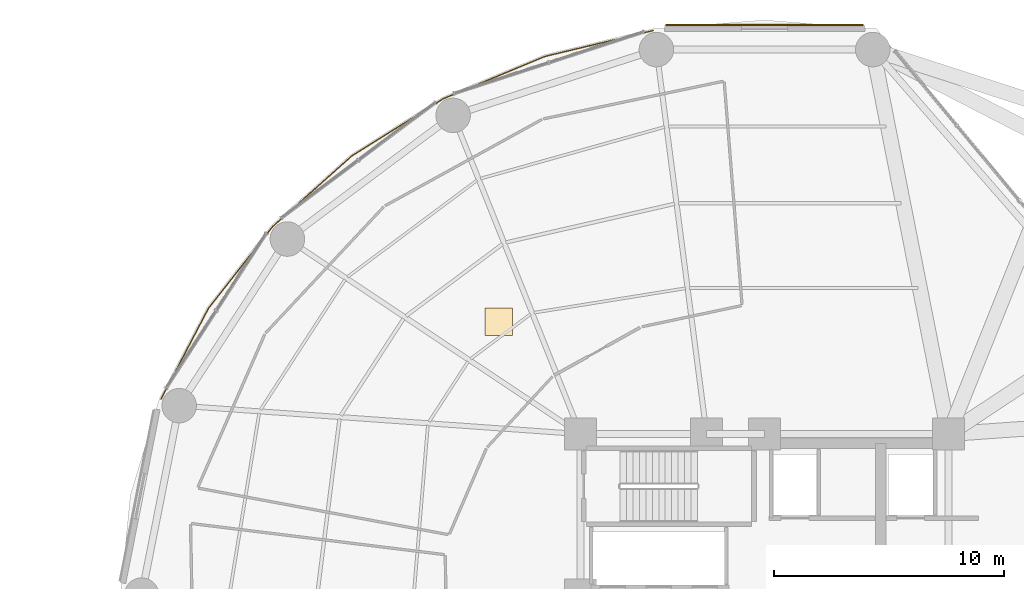
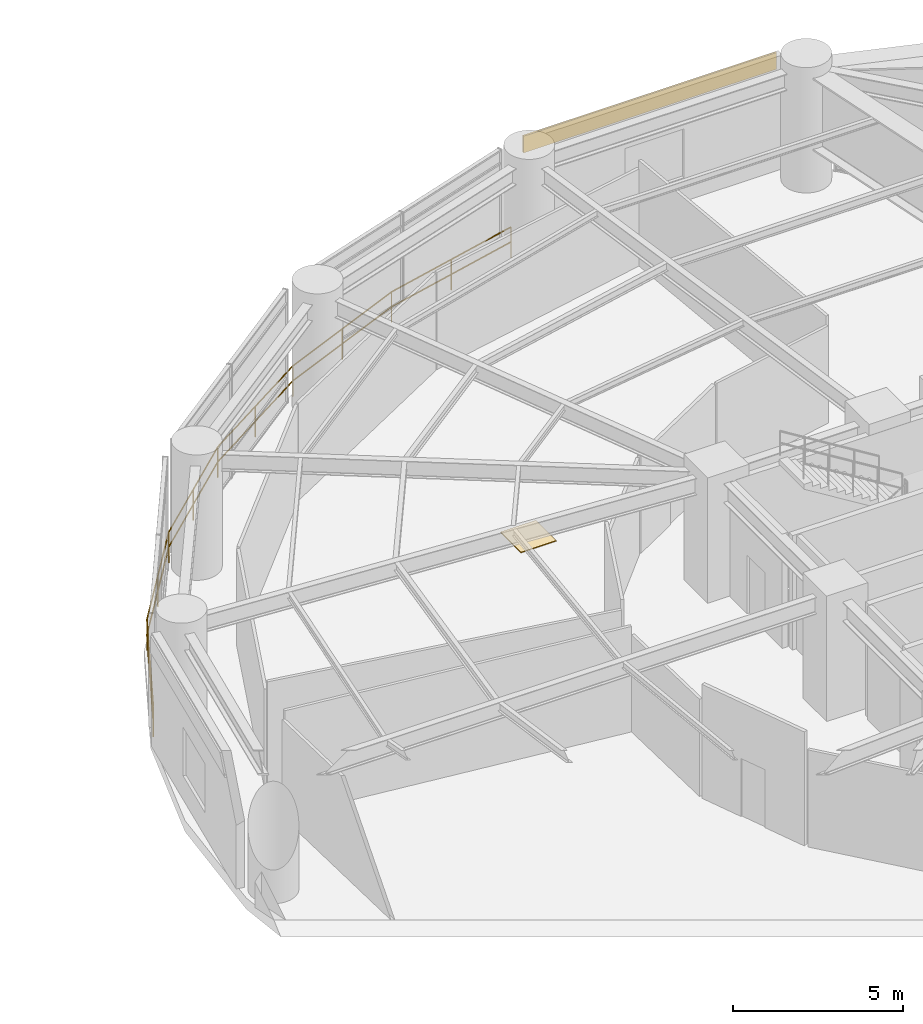
# One storey, part 52 of 52: 2 coverings, 1 railing.
"""IFC4 building model written with IfcOpenShell, lengths in metres."""

from ifc_helpers import new_model, si_unit, direction, frame, origin, origin_2d, place, context, subcontext, project, spatial, polyline, rectangle, outline, extrude, source, transform, mapped, material, layer, layer_set, type_object, element, save


model = new_model("IFC4")

# Units and contexts
model_context = context("Model", 3, precision=1e-05, world=origin(), true_north=direction((0.0, 1.0)))
body_context = subcontext(model_context, "Body", "Model", "MODEL_VIEW")
ifc_project = project(units=[si_unit("LENGTHUNIT", "METRE"), si_unit("AREAUNIT", "SQUARE_METRE"), si_unit("VOLUMEUNIT", "CUBIC_METRE"), si_unit("PLANEANGLEUNIT", "RADIAN"), si_unit("MASSUNIT", "GRAM", prefix="KILO")], contexts=[model_context])

# Site, building, storey
site_placement = place(None, origin())
site = spatial("IfcSite", under=ifc_project, at=site_placement, CompositionType="ELEMENT")
building_placement = place(site_placement, origin())
building = spatial("IfcBuilding", under=site, at=building_placement, Name="Kelanora Arch Commons", CompositionType="ELEMENT")
storey_placement = place(building_placement, frame((0.0, 0.0, 13.5)))
storey = spatial("IfcBuildingStorey", under=building, at=storey_placement, Name="L03", CompositionType="ELEMENT", Elevation=13.5)

# Railing
ifc_material_1 = material(Name="Laminated glass and stainless steel balustrade", Category="steel")
railing_type = type_object("IfcRailingType", Name="RAIL-BAL-112", PredefinedType="BALUSTRADE", material=ifc_material_1)
railing_placement = place(storey_placement, frame((69.1533203125, 82.541748046875, 0.0)))
element("IfcRailing", 1, at=railing_placement, inside=storey, type_object=railing_type, Name="Concave Courtyard Overlook Balustrade L03-NW", PredefinedType="BALUSTRADE", context=body_context, shape_type="SweptSolid", body=[
    extrude(outline(polyline([(0.02392578125, 0.0), (0.011962890625, 0.020751953125), (-0.011962890625, 0.020751953125), (-0.02392578125, 0.0), (-0.011962890625, -0.020751953125), (0.011962890625, -0.020751953125), (0.02392578125, 0.0)])), frame((0.0, 0.0, 1.09619140625), z_axis=(-0.972593299497, -0.232512953989, 0.0), x_axis=(0.232512953989, -0.972593299497, 0.0)), (0.0, 0.0, 1.0), 4.83203125),
    extrude(outline(polyline([(0.02392578125, 0.0), (0.011962890625, 0.020751953125), (-0.011962890625, 0.020751953125), (-0.02392578125, 0.0), (-0.011962890625, -0.020751953125), (0.011962890625, -0.020751953125), (0.02392578125, 0.0)])), frame((0.0, 0.0, 0.56005859375), z_axis=(-0.972593299497, -0.232512953989, 0.0), x_axis=(0.232512953989, -0.972593299497, 0.0)), (0.0, 0.0, 1.0), 4.83203125),
    extrude(outline(polyline([(0.02392578125, 0.0), (0.011962890625, 0.020751953125), (-0.011962890625, 0.020751953125), (-0.02392578125, 0.0), (-0.011962890625, -0.020751953125), (0.011962890625, -0.020751953125), (0.02392578125, 0.0)])), frame((-4.69970703125, -1.12353515625, 1.09619140625), z_axis=(-0.923288490051, -0.384107230001, 0.0), x_axis=(0.384107230001, -0.923288490051, 0.0)), (0.0, 0.0, 1.0), 4.776611328125),
    extrude(outline(polyline([(0.02392578125, 0.0), (0.011962890625, 0.020751953125), (-0.011962890625, 0.020751953125), (-0.02392578125, 0.0), (-0.011962890625, -0.020751953125), (0.011962890625, -0.020751953125), (0.02392578125, 0.0)])), frame((-4.69970703125, -1.12353515625, 0.56005859375), z_axis=(-0.923288490051, -0.384107230001, 0.0), x_axis=(0.384107230001, -0.923288490051, 0.0)), (0.0, 0.0, 1.0), 4.776611328125),
    extrude(outline(polyline([(0.02392578125, 0.0), (0.011962890625, 0.020751953125), (-0.011962890625, 0.020751953125), (-0.02392578125, 0.0), (-0.011962890625, -0.020751953125), (0.011962890625, -0.020751953125), (0.02392578125, 0.0)])), frame((-9.10986328125, -2.958251953125, 1.09619140625), z_axis=(-0.848097490712, -0.529840208221, 0.0), x_axis=(0.529840208221, -0.848097490712, 0.0)), (0.0, 0.0, 1.0), 4.700927734375),
    extrude(outline(polyline([(0.02392578125, 0.0), (0.011962890625, 0.020751953125), (-0.011962890625, 0.020751953125), (-0.02392578125, 0.0), (-0.011962890625, -0.020751953125), (0.011962890625, -0.020751953125), (0.02392578125, 0.0)])), frame((-9.10986328125, -2.958251953125, 0.56005859375), z_axis=(-0.848097490712, -0.529840208221, 0.0), x_axis=(0.529840208221, -0.848097490712, 0.0)), (0.0, 0.0, 1.0), 4.700927734375),
    extrude(outline(polyline([(0.02392578125, 0.0), (0.011962890625, 0.020751953125), (-0.011962890625, 0.020751953125), (-0.02392578125, 0.0), (-0.011962890625, -0.020751953125), (0.011962890625, -0.020751953125), (0.02392578125, 0.0)])), frame((-13.0966796875, -5.448974609375, 1.09619140625), z_axis=(-0.746161121454, -0.665765409758, 0.0), x_axis=(0.665765409758, -0.746161121454, 0.0)), (0.0, 0.0, 1.0), 4.61279296875),
    extrude(outline(polyline([(0.02392578125, 0.0), (0.011962890625, 0.020751953125), (-0.011962890625, 0.020751953125), (-0.02392578125, 0.0), (-0.011962890625, -0.020751953125), (0.011962890625, -0.020751953125), (0.02392578125, 0.0)])), frame((-13.0966796875, -5.448974609375, 0.56005859375), z_axis=(-0.746161121454, -0.665765409758, 0.0), x_axis=(0.665765409758, -0.746161121454, 0.0)), (0.0, 0.0, 1.0), 4.61279296875),
    extrude(outline(polyline([(0.02392578125, 0.0), (0.011962890625, 0.020751953125), (-0.011962890625, 0.020751953125), (-0.02392578125, 0.0), (-0.011962890625, -0.020751953125), (0.011962890625, -0.020751953125), (0.02392578125, 0.0)])), frame((-16.53857421875, -8.52001953125, 1.09619140625), z_axis=(-0.617327980499, -0.786705894533, 0.0), x_axis=(0.786705894533, -0.617327980499, 0.0)), (0.0, 0.0, 1.0), 4.523193359375),
    extrude(outline(polyline([(0.02392578125, 0.0), (0.011962890625, 0.020751953125), (-0.011962890625, 0.020751953125), (-0.02392578125, 0.0), (-0.011962890625, -0.020751953125), (0.011962890625, -0.020751953125), (0.02392578125, 0.0)])), frame((-16.53857421875, -8.52001953125, 0.56005859375), z_axis=(-0.617327980499, -0.786705894533, 0.0), x_axis=(0.786705894533, -0.617327980499, 0.0)), (0.0, 0.0, 1.0), 4.523193359375),
    extrude(outline(polyline([(0.02392578125, 0.0), (0.011962890625, 0.020751953125), (-0.011962890625, 0.020751953125), (-0.02392578125, 0.0), (-0.011962890625, -0.020751953125), (0.011962890625, -0.020751953125), (0.02392578125, 0.0)])), frame((-19.330810546875, -12.078369140625, 1.09619140625), z_axis=(-0.463187508091, -0.88626030733, 0.0), x_axis=(0.88626030733, -0.463187508091, 0.0)), (0.0, 0.0, 1.0), 4.44287109375),
    extrude(outline(polyline([(0.02392578125, 0.0), (0.011962890625, 0.020751953125), (-0.011962890625, 0.020751953125), (-0.02392578125, 0.0), (-0.011962890625, -0.020751953125), (0.011962890625, -0.020751953125), (0.02392578125, 0.0)])), frame((-19.330810546875, -12.078369140625, 0.56005859375), z_axis=(-0.463187508091, -0.88626030733, 0.0), x_axis=(0.88626030733, -0.463187508091, 0.0)), (0.0, 0.0, 1.0), 4.44287109375),
    extrude(outline(polyline([(0.02099609375, 0.0), (0.010498046875, 0.01806640625), (-0.010498046875, 0.01806640625), (-0.02099609375, 0.0), (-0.010498046875, -0.01806640625), (0.010498046875, -0.01806640625), (0.02099609375, 0.0)])), origin(), (0.0, 0.0, 1.0), 1.072021484375),
    extrude(outline(polyline([(0.02099609375, 0.0), (0.010498046875, 0.01806640625), (-0.010498046875, 0.01806640625), (-0.02099609375, 0.0), (-0.010498046875, -0.01806640625), (0.010498046875, -0.01806640625), (0.02099609375, 0.0)])), frame((-2.349853515625, -0.561767578125, 0.0)), (0.0, 0.0, 1.0), 1.072021484375),
    extrude(outline(polyline([(0.02099609375, 0.0), (0.010498046875, 0.01806640625), (-0.010498046875, 0.01806640625), (-0.02099609375, 0.0), (-0.010498046875, -0.01806640625), (0.010498046875, -0.01806640625), (0.02099609375, 0.0)])), frame((-4.69970703125, -1.12353515625, 0.0)), (0.0, 0.0, 1.0), 1.072021484375),
    extrude(outline(polyline([(0.02099609375, 0.0), (0.010498046875, 0.01806640625), (-0.010498046875, 0.01806640625), (-0.02099609375, 0.0), (-0.010498046875, -0.01806640625), (0.010498046875, -0.01806640625), (0.02099609375, 0.0)])), frame((-6.90478515625, -2.041015625, 0.0)), (0.0, 0.0, 1.0), 1.072021484375),
    extrude(outline(polyline([(0.02099609375, 0.0), (0.010498046875, 0.01806640625), (-0.010498046875, 0.01806640625), (-0.02099609375, 0.0), (-0.010498046875, -0.01806640625), (0.010498046875, -0.01806640625), (0.02099609375, 0.0)])), frame((-9.10986328125, -2.958251953125, 0.0)), (0.0, 0.0, 1.0), 1.072021484375),
    extrude(outline(polyline([(0.02099609375, 0.0), (0.010498046875, 0.01806640625), (-0.010498046875, 0.01806640625), (-0.02099609375, 0.0), (-0.010498046875, -0.01806640625), (0.010498046875, -0.01806640625), (0.02099609375, 0.0)])), frame((-11.103271484375, -4.20361328125, 0.0)), (0.0, 0.0, 1.0), 1.072021484375),
    extrude(outline(polyline([(0.02099609375, 0.0), (0.010498046875, 0.01806640625), (-0.010498046875, 0.01806640625), (-0.02099609375, 0.0), (-0.010498046875, -0.01806640625), (0.010498046875, -0.01806640625), (0.02099609375, 0.0)])), frame((-13.0966796875, -5.448974609375, 0.0)), (0.0, 0.0, 1.0), 1.072021484375),
    extrude(outline(polyline([(0.02099609375, 0.0), (0.010498046875, 0.01806640625), (-0.010498046875, 0.01806640625), (-0.02099609375, 0.0), (-0.010498046875, -0.01806640625), (0.010498046875, -0.01806640625), (0.02099609375, 0.0)])), frame((-14.817626953125, -6.984375, 0.0)), (0.0, 0.0, 1.0), 1.072021484375),
    extrude(outline(polyline([(0.02099609375, 0.0), (0.010498046875, 0.01806640625), (-0.010498046875, 0.01806640625), (-0.02099609375, 0.0), (-0.010498046875, -0.01806640625), (0.010498046875, -0.01806640625), (0.02099609375, 0.0)])), frame((-16.53857421875, -8.52001953125, 0.0)), (0.0, 0.0, 1.0), 1.072021484375),
    extrude(outline(polyline([(0.02099609375, 0.0), (0.010498046875, 0.01806640625), (-0.010498046875, 0.01806640625), (-0.02099609375, 0.0), (-0.010498046875, -0.01806640625), (0.010498046875, -0.01806640625), (0.02099609375, 0.0)])), frame((-17.9345703125, -10.29931640625, 0.0)), (0.0, 0.0, 1.0), 1.072021484375),
    extrude(outline(polyline([(0.02099609375, 0.0), (0.010498046875, 0.01806640625), (-0.010498046875, 0.01806640625), (-0.02099609375, 0.0), (-0.010498046875, -0.01806640625), (0.010498046875, -0.01806640625), (0.02099609375, 0.0)])), frame((-19.330810546875, -12.078369140625, 0.0)), (0.0, 0.0, 1.0), 1.072021484375),
    extrude(outline(polyline([(0.02099609375, 0.0), (0.010498046875, 0.01806640625), (-0.010498046875, 0.01806640625), (-0.02099609375, 0.0), (-0.010498046875, -0.01806640625), (0.010498046875, -0.01806640625), (0.02099609375, 0.0)])), frame((-21.388671875, -16.015869140625, 0.0)), (0.0, 0.0, 1.0), 1.072021484375),
])

# Coverings
ifc_material_2 = material(Name="Glazed architectural terracotta spandrel cladding", Category="masonry")
ifc_layer_1 = layer(ifc_material_2, 0.06005859375)
ifc_layer_set_1 = layer_set([ifc_layer_1], Name="Glazed architectural terracotta spandrel cladding")
covering_type_1 = type_object("IfcCoveringType", Name="COV-CLAD-TC", PredefinedType="CLADDING", material=ifc_layer_set_1)
shared_shape_1 = source(origin(), body_context, "Body", "SweptSolid", [
    extrude(rectangle(XDim=8.591796875, YDim=0.06005859375, at=origin_2d()), origin(), (0.0, 0.0, 1.0), 0.60009765625),
])
covering_1_placement = place(storey_placement, frame((74.0, 82.7783203125, 3.43505859375), z_axis=(0.0, 0.0, 1.0), x_axis=(-1.0, 0.0, 0.0)))
element("IfcCovering", 2, at=covering_1_placement, inside=storey, type_object=covering_type_1, Name="Terracotta Spandrel Cladding L03-B04", PredefinedType="CLADDING", context=body_context, shape_type="MappedRepresentation", body=[
    mapped(shared_shape_1, transform((0.0, 0.0, 0.0), scale=1.0)),
])
ifc_material_3 = material(Name="Polished local granite terrazzo flooring", Category="masonry")
ifc_layer_2 = layer(ifc_material_3, 0.030029296875)
ifc_layer_set_2 = layer_set([ifc_layer_2], Name="Polished local granite terrazzo flooring")
covering_type_2 = type_object("IfcCoveringType", Name="COV-FLR-TER", PredefinedType="FLOORING", material=ifc_layer_set_2)
shared_shape_2 = source(origin(), body_context, "Body", "SweptSolid", [
    extrude(rectangle(XDim=1.199951171875, YDim=1.199951171875, at=origin_2d()), origin(), (0.0, 0.0, 1.0), 0.030029296875),
])
covering_2_placement = place(storey_placement, frame((62.436767578125, 69.877197265625, 0.0), z_axis=(0.0, 0.0, 1.0), x_axis=(1.0, 0.0, 0.0)))
element("IfcCovering", 3, at=covering_2_placement, inside=storey, type_object=covering_type_2, Name="Shared Student Study Commons L03-B Terrazzo Finish", PredefinedType="FLOORING", context=body_context, shape_type="MappedRepresentation", body=[
    mapped(shared_shape_2, transform((0.0, 0.0, 0.0), scale=1.0)),
])

save(model, "model.ifc")
